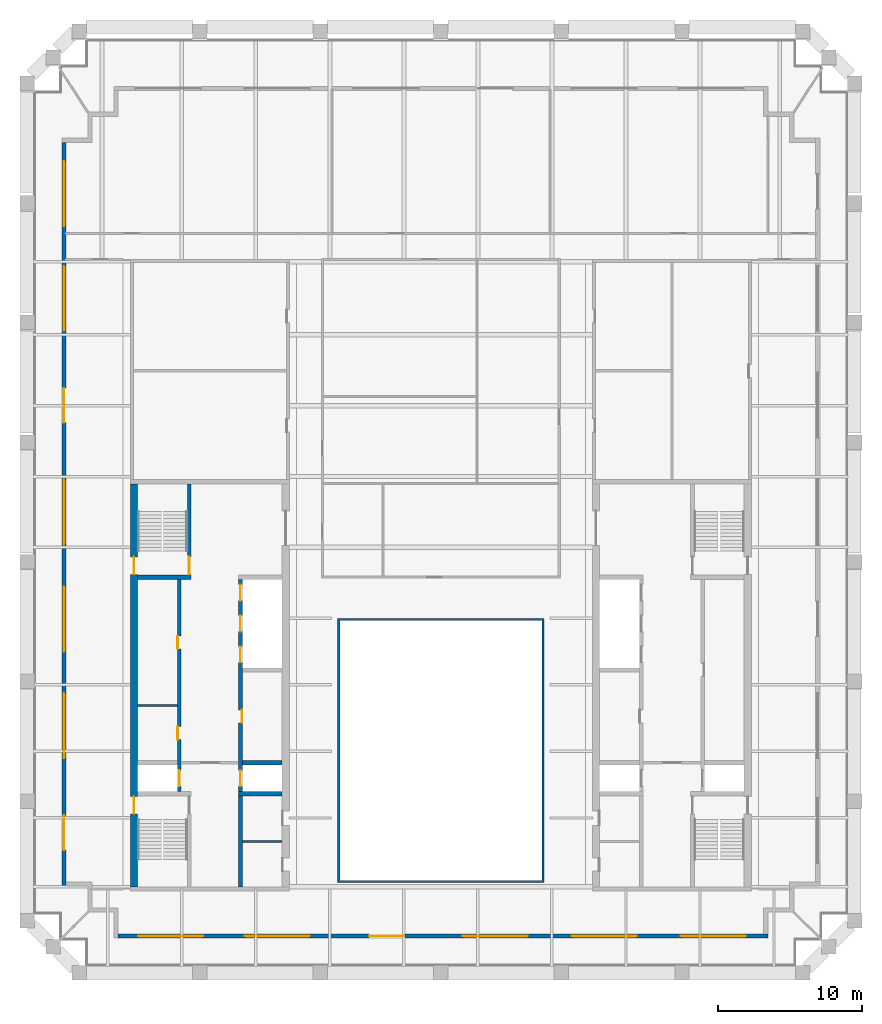
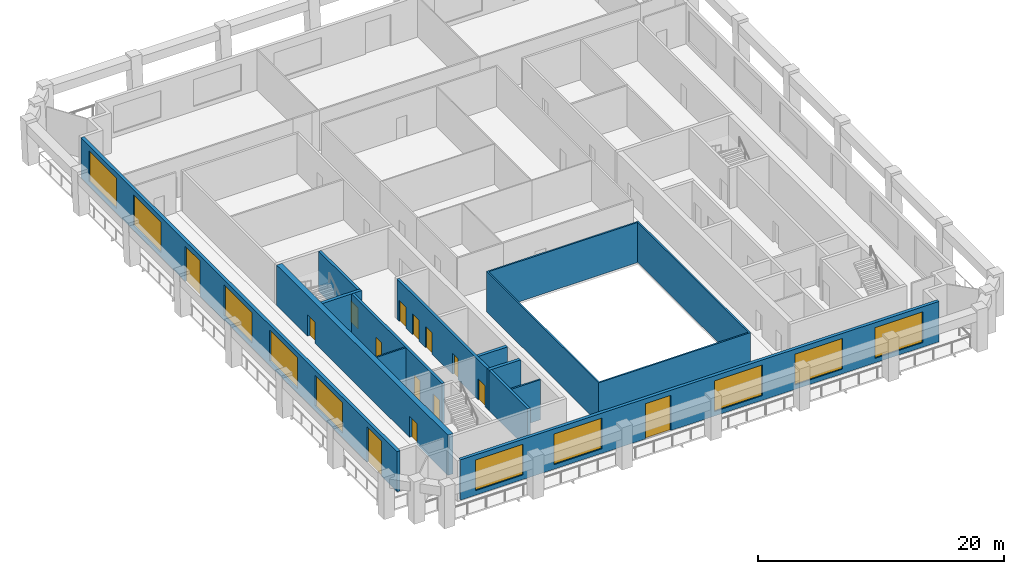
# One storey, part 3 of 8: 14 doors, 12 walls, 10 windows, 24 openings.
"""IFC4 building model written with IfcOpenShell, lengths in metres."""

from ifc_helpers import new_model, si_unit, direction, frame, frame_2d, origin, place, context, subcontext, project, spatial, polyline, rectangle, outline, extrude, material, layer, layer_set, type_object, element, fill, save


model = new_model("IFC4")

# Units and contexts
model_context = context("Model", 3, precision=1e-05, world=origin(), true_north=direction((0.0, 1.0)))
body_context = subcontext(model_context, "Body", "Model", "MODEL_VIEW")
ifc_project = project(units=[si_unit("LENGTHUNIT", "METRE"), si_unit("AREAUNIT", "SQUARE_METRE"), si_unit("VOLUMEUNIT", "CUBIC_METRE"), si_unit("PLANEANGLEUNIT", "RADIAN"), si_unit("MASSUNIT", "GRAM", prefix="KILO")], contexts=[model_context])

# Site, building, storey
site_placement = place(None, origin())
site = spatial("IfcSite", under=ifc_project, at=site_placement, CompositionType="ELEMENT")
building_placement = place(site_placement, origin())
building = spatial("IfcBuilding", under=site, at=building_placement, Name="Ogive Exchange Tower", CompositionType="ELEMENT")
storey_placement = place(building_placement, frame((0.0, 0.0, 317.39990234375)))
storey = spatial("IfcBuildingStorey", under=building, at=storey_placement, Name="L69", CompositionType="ELEMENT", Elevation=317.39990234375)

# Walls
ifc_material_1 = material(Name="Gypsum board partition")
ifc_layer_1 = layer(ifc_material_1, 0.14990234375)
ifc_layer_set_1 = layer_set([ifc_layer_1], Name="Core room partition 150 gypsum")
wall_type_1 = type_object("IfcWallType", Name="Core room partition 150 gypsum", PredefinedType="PARTITIONING", material=ifc_layer_set_1)
for number, where, z_axis, x_axis, name in (
    (1, (-21.0, 10.10009765625, 0.0), (0.0, 0.0, 1.0), (1.0, 0.0, 0.0), "W row A bay partition 1-1"),
    (2, (-13.75, 0.699951171875, 0.0), (0.0, 0.0, 1.0), (1.0, 0.0, 0.0), "W south room partition"),
):
    element("IfcWall", number, at=place(storey_placement, frame(where, z_axis=z_axis, x_axis=x_axis)), inside=storey, type_object=wall_type_1, Name=name, PredefinedType="PARTITIONING", context=body_context, shape_type="SweptSolid", body=[
        extrude(rectangle(XDim=2.75, YDim=0.14990234375, at=frame_2d((1.375, 0.0))), origin(), (0.0, 0.0, 1.0), 4.0),
    ])
ifc_material_2 = material(Name="Fire-resisting glass in steel frame", Category="steel")
ifc_layer_2 = layer(ifc_material_2, 0.14990234375)
ifc_layer_set_2 = layer_set([ifc_layer_2], Name="Fire-rated glazed wall 150")
wall_type_2 = type_object("IfcWallType", Name="Fire-rated glazed wall 150", PredefinedType="STANDARD", material=ifc_layer_set_2)
wall_1_placement = place(storey_placement, origin())
element("IfcWall", 3, at=wall_1_placement, inside=storey, type_object=wall_type_2, Name="Nave enclosure wall", PredefinedType="STANDARD", context=body_context, shape_type="SweptSolid", body=[
    extrude(outline(polyline([(-7.14990234375, -2.14990234375), (7.14990234375, -2.14990234375), (7.14990234375, 16.14990234375), (-7.14990234375, 16.14990234375), (-7.14990234375, -2.14990234375)]), holes=[polyline([(-7.0, -2.0), (-7.0, 16.0), (7.0, 16.0), (7.0, -2.0), (-7.0, -2.0)])]), origin(), (0.0, 0.0, 1.0), 4.0),
])

# Wall, openings, door, windows
ifc_material_3 = material(Name="Precast concrete C40/50", Category="concrete")
ifc_layer_3 = layer(ifc_material_3, 0.300048828125)
ifc_layer_set_3 = layer_set([ifc_layer_3], Name="Limestone-faced wall 300")
wall_type_3 = type_object("IfcWallType", Name="Limestone-faced wall 300", PredefinedType="STANDARD", material=ifc_layer_set_3)
wall_2_placement = place(storey_placement, frame((-22.35009765625, -5.85009765625, 0.0), z_axis=(0.0, 0.0, 1.0), x_axis=(1.0, 0.0, 0.0)))
wall_2 = element("IfcWall", 4, at=wall_2_placement, inside=storey, type_object=wall_type_3, Name="External wall S1", PredefinedType="STANDARD", context=body_context, shape_type="SweptSolid", body=[
    extrude(rectangle(XDim=45.0, YDim=0.300048828125, at=frame_2d((22.5, 0.0))), origin(), (0.0, 0.0, 1.0), 4.0),
])
opening_1_placement = place(wall_2_placement, frame((1.375, 0.0, 0.449951171875)))
opening_1 = element("IfcOpeningElement", 5, at=opening_1_placement, cuts=wall_2, Name="Opening W1", PredefinedType="OPENING", context=body_context, shape_type="SweptSolid", body=[
    extrude(rectangle(XDim=4.5, YDim=3.050048828125, at=frame_2d((2.25, 1.52490234375))), frame((0.0, 0.159912109375, 0.0), z_axis=(0.0, -1.0, 0.0), x_axis=(1.0, 0.0, 0.0)), (0.0, 0.0, 1.0), 0.320068359375),
])
opening_2_placement = place(wall_2_placement, frame((8.77490234375, 0.0, 0.449951171875)))
opening_2 = element("IfcOpeningElement", 6, at=opening_2_placement, cuts=wall_2, Name="Opening W1", PredefinedType="OPENING", context=body_context, shape_type="SweptSolid", body=[
    extrude(rectangle(XDim=4.5, YDim=3.050048828125, at=frame_2d((2.25, 1.52490234375))), frame((0.0, 0.159912109375, 0.0), z_axis=(0.0, -1.0, 0.0), x_axis=(1.0, 0.0, 0.0)), (0.0, 0.0, 1.0), 0.320068359375),
])
opening_3_placement = place(wall_2_placement, frame((17.375, 0.0, 0.0)))
opening_3 = element("IfcOpeningElement", 7, at=opening_3_placement, cuts=wall_2, Name="Opening D1", PredefinedType="OPENING", context=body_context, shape_type="SweptSolid", body=[
    extrude(rectangle(XDim=2.39990234375, YDim=3.5, at=frame_2d((1.199951171875, 1.75))), frame((0.0, 0.159912109375, 0.0), z_axis=(0.0, -1.0, 0.0), x_axis=(1.0, 0.0, 0.0)), (0.0, 0.0, 1.0), 0.320068359375),
])
opening_4_placement = place(wall_2_placement, frame((23.875, 0.0, 0.449951171875)))
opening_4 = element("IfcOpeningElement", 8, at=opening_4_placement, cuts=wall_2, Name="Opening W1", PredefinedType="OPENING", context=body_context, shape_type="SweptSolid", body=[
    extrude(rectangle(XDim=4.5, YDim=3.050048828125, at=frame_2d((2.25, 1.52490234375))), frame((0.0, 0.159912109375, 0.0), z_axis=(0.0, -1.0, 0.0), x_axis=(1.0, 0.0, 0.0)), (0.0, 0.0, 1.0), 0.320068359375),
])
opening_5_placement = place(wall_2_placement, frame((31.425048828125, 0.0, 0.449951171875)))
opening_5 = element("IfcOpeningElement", 9, at=opening_5_placement, cuts=wall_2, Name="Opening W1", PredefinedType="OPENING", context=body_context, shape_type="SweptSolid", body=[
    extrude(rectangle(XDim=4.5, YDim=3.050048828125, at=frame_2d((2.25, 1.52490234375))), frame((0.0, 0.159912109375, 0.0), z_axis=(0.0, -1.0, 0.0), x_axis=(1.0, 0.0, 0.0)), (0.0, 0.0, 1.0), 0.320068359375),
])
opening_6_placement = place(wall_2_placement, frame((38.97509765625, 0.0, 0.449951171875)))
opening_6 = element("IfcOpeningElement", 10, at=opening_6_placement, cuts=wall_2, Name="Opening W1", PredefinedType="OPENING", context=body_context, shape_type="SweptSolid", body=[
    extrude(rectangle(XDim=4.5, YDim=3.050048828125, at=frame_2d((2.25, 1.52490234375))), frame((0.0, 0.159912109375, 0.0), z_axis=(0.0, -1.0, 0.0), x_axis=(1.0, 0.0, 0.0)), (0.0, 0.0, 1.0), 0.320068359375),
])
ifc_material_4 = material(Name="Clear glass in bronze frame", Category="glass")
door_type_1 = type_object("IfcDoorType", Name="Sliding loggia door 2400 x 3500", OperationType="DOUBLE_DOOR_SLIDING", PredefinedType="DOOR", material=ifc_material_4)
door_1_placement = place(opening_3_placement, origin())
door_1 = element("IfcDoor", 11, at=door_1_placement, inside=storey, type_object=door_type_1, Name="Loggia door S02", OperationType="DOUBLE_DOOR_SLIDING", OverallHeight=3.5, OverallWidth=2.39990234375, PredefinedType="DOOR", context=body_context, shape_type="SweptSolid", body=[
    extrude(rectangle(XDim=2.39990234375, YDim=3.5, at=frame_2d((1.199951171875, 1.75))), frame((0.0, 0.02490234375, 0.0), z_axis=(0.0, -1.0, 0.0), x_axis=(1.0, 0.0, 0.0)), (0.0, 0.0, 1.0), 0.050048828125),
])
fill(opening_3, door_1)
window_type = type_object("IfcWindowType", Name="Twin lancet window 4500 x 3050", PartitioningType="DOUBLE_PANEL_VERTICAL", PredefinedType="WINDOW", material=ifc_material_4)
window_1_placement = place(opening_1_placement, origin())
window_1 = element("IfcWindow", 12, at=window_1_placement, inside=storey, type_object=window_type, Name="Window S00", OverallHeight=3.050048828125, OverallWidth=4.5, PartitioningType="DOUBLE_PANEL_VERTICAL", PredefinedType="WINDOW", context=body_context, shape_type="SweptSolid", body=[
    extrude(rectangle(XDim=4.5, YDim=3.050048828125, at=frame_2d((2.25, 1.52490234375))), frame((0.0, 0.030029296875, 0.0), z_axis=(0.0, -1.0, 0.0), x_axis=(1.0, 0.0, 0.0)), (0.0, 0.0, 1.0), 0.06005859375),
])
fill(opening_1, window_1)
window_2_placement = place(opening_2_placement, origin())
window_2 = element("IfcWindow", 13, at=window_2_placement, inside=storey, type_object=window_type, Name="Window S01", OverallHeight=3.050048828125, OverallWidth=4.5, PartitioningType="DOUBLE_PANEL_VERTICAL", PredefinedType="WINDOW", context=body_context, shape_type="SweptSolid", body=[
    extrude(rectangle(XDim=4.5, YDim=3.050048828125, at=frame_2d((2.25, 1.52490234375))), frame((0.0, 0.030029296875, 0.0), z_axis=(0.0, -1.0, 0.0), x_axis=(1.0, 0.0, 0.0)), (0.0, 0.0, 1.0), 0.06005859375),
])
fill(opening_2, window_2)
window_3_placement = place(opening_4_placement, origin())
window_3 = element("IfcWindow", 14, at=window_3_placement, inside=storey, type_object=window_type, Name="Window S03", OverallHeight=3.050048828125, OverallWidth=4.5, PartitioningType="DOUBLE_PANEL_VERTICAL", PredefinedType="WINDOW", context=body_context, shape_type="SweptSolid", body=[
    extrude(rectangle(XDim=4.5, YDim=3.050048828125, at=frame_2d((2.25, 1.52490234375))), frame((0.0, 0.030029296875, 0.0), z_axis=(0.0, -1.0, 0.0), x_axis=(1.0, 0.0, 0.0)), (0.0, 0.0, 1.0), 0.06005859375),
])
fill(opening_4, window_3)
window_4_placement = place(opening_5_placement, origin())
window_4 = element("IfcWindow", 15, at=window_4_placement, inside=storey, type_object=window_type, Name="Window S04", OverallHeight=3.050048828125, OverallWidth=4.5, PartitioningType="DOUBLE_PANEL_VERTICAL", PredefinedType="WINDOW", context=body_context, shape_type="SweptSolid", body=[
    extrude(rectangle(XDim=4.5, YDim=3.050048828125, at=frame_2d((2.25, 1.52490234375))), frame((0.0, 0.030029296875, 0.0), z_axis=(0.0, -1.0, 0.0), x_axis=(1.0, 0.0, 0.0)), (0.0, 0.0, 1.0), 0.06005859375),
])
fill(opening_5, window_4)
window_5_placement = place(opening_6_placement, origin())
window_5 = element("IfcWindow", 16, at=window_5_placement, inside=storey, type_object=window_type, Name="Window S05", OverallHeight=3.050048828125, OverallWidth=4.5, PartitioningType="DOUBLE_PANEL_VERTICAL", PredefinedType="WINDOW", context=body_context, shape_type="SweptSolid", body=[
    extrude(rectangle(XDim=4.5, YDim=3.050048828125, at=frame_2d((2.25, 1.52490234375))), frame((0.0, 0.030029296875, 0.0), z_axis=(0.0, -1.0, 0.0), x_axis=(1.0, 0.0, 0.0)), (0.0, 0.0, 1.0), 0.06005859375),
])
fill(opening_6, window_5)

# Wall, openings, doors, windows
wall_3_placement = place(storey_placement, frame((-26.10009765625, 49.10009765625, 0.0), z_axis=(0.0, 0.0, 1.0), x_axis=(0.0, -1.0, 0.0)))
wall_3 = element("IfcWall", 17, at=wall_3_placement, inside=storey, type_object=wall_type_3, Name="External wall W4", PredefinedType="STANDARD", context=body_context, shape_type="SweptSolid", body=[
    extrude(rectangle(XDim=51.5, YDim=0.300048828125, at=frame_2d((25.75, 0.0))), origin(), (0.0, 0.0, 1.0), 4.0),
])
opening_7_placement = place(wall_3_placement, frame((1.300048828125, 0.0, 0.449951171875)))
opening_7 = element("IfcOpeningElement", 18, at=opening_7_placement, cuts=wall_3, Name="Opening W1", PredefinedType="OPENING", context=body_context, shape_type="SweptSolid", body=[
    extrude(rectangle(XDim=4.5, YDim=3.050048828125, at=frame_2d((2.25, 1.52490234375))), frame((0.0, 0.159912109375, 0.0), z_axis=(0.0, -1.0, 0.0), x_axis=(1.0, 0.0, 0.0)), (0.0, 0.0, 1.0), 0.320068359375),
])
opening_8_placement = place(wall_3_placement, frame((8.550048828125, 0.0, 0.449951171875)))
opening_8 = element("IfcOpeningElement", 19, at=opening_8_placement, cuts=wall_3, Name="Opening W1", PredefinedType="OPENING", context=body_context, shape_type="SweptSolid", body=[
    extrude(rectangle(XDim=4.5, YDim=3.050048828125, at=frame_2d((2.25, 1.52490234375))), frame((0.0, 0.159912109375, 0.0), z_axis=(0.0, -1.0, 0.0), x_axis=(1.0, 0.0, 0.0)), (0.0, 0.0, 1.0), 0.320068359375),
])
opening_9_placement = place(wall_3_placement, frame((17.0, 0.0, 0.0)))
opening_9 = element("IfcOpeningElement", 20, at=opening_9_placement, cuts=wall_3, Name="Opening D1", PredefinedType="OPENING", context=body_context, shape_type="SweptSolid", body=[
    extrude(rectangle(XDim=2.39990234375, YDim=3.5, at=frame_2d((1.199951171875, 1.75))), frame((0.0, 0.159912109375, 0.0), z_axis=(0.0, -1.0, 0.0), x_axis=(1.0, 0.0, 0.0)), (0.0, 0.0, 1.0), 0.320068359375),
])
opening_10_placement = place(wall_3_placement, frame((23.35009765625, 0.0, 0.449951171875)))
opening_10 = element("IfcOpeningElement", 21, at=opening_10_placement, cuts=wall_3, Name="Opening W1", PredefinedType="OPENING", context=body_context, shape_type="SweptSolid", body=[
    extrude(rectangle(XDim=4.5, YDim=3.050048828125, at=frame_2d((2.25, 1.52490234375))), frame((0.0, 0.159912109375, 0.0), z_axis=(0.0, -1.0, 0.0), x_axis=(1.0, 0.0, 0.0)), (0.0, 0.0, 1.0), 0.320068359375),
])
opening_11_placement = place(wall_3_placement, frame((30.75, 0.0, 0.449951171875)))
opening_11 = element("IfcOpeningElement", 22, at=opening_11_placement, cuts=wall_3, Name="Opening W1", PredefinedType="OPENING", context=body_context, shape_type="SweptSolid", body=[
    extrude(rectangle(XDim=4.5, YDim=3.050048828125, at=frame_2d((2.25, 1.52490234375))), frame((0.0, 0.159912109375, 0.0), z_axis=(0.0, -1.0, 0.0), x_axis=(1.0, 0.0, 0.0)), (0.0, 0.0, 1.0), 0.320068359375),
])
opening_12_placement = place(wall_3_placement, frame((38.14990234375, 0.0, 0.449951171875)))
opening_12 = element("IfcOpeningElement", 23, at=opening_12_placement, cuts=wall_3, Name="Opening W1", PredefinedType="OPENING", context=body_context, shape_type="SweptSolid", body=[
    extrude(rectangle(XDim=4.5, YDim=3.050048828125, at=frame_2d((2.25, 1.52490234375))), frame((0.0, 0.159912109375, 0.0), z_axis=(0.0, -1.0, 0.0), x_axis=(1.0, 0.0, 0.0)), (0.0, 0.0, 1.0), 0.320068359375),
])
opening_13_placement = place(wall_3_placement, frame((46.60009765625, 0.0, 0.0)))
opening_13 = element("IfcOpeningElement", 24, at=opening_13_placement, cuts=wall_3, Name="Opening D1", PredefinedType="OPENING", context=body_context, shape_type="SweptSolid", body=[
    extrude(rectangle(XDim=2.39990234375, YDim=3.5, at=frame_2d((1.199951171875, 1.75))), frame((0.0, 0.159912109375, 0.0), z_axis=(0.0, -1.0, 0.0), x_axis=(1.0, 0.0, 0.0)), (0.0, 0.0, 1.0), 0.320068359375),
])
door_2_placement = place(opening_9_placement, origin())
door_2 = element("IfcDoor", 25, at=door_2_placement, inside=storey, type_object=door_type_1, Name="Loggia door W02", OperationType="DOUBLE_DOOR_SLIDING", OverallHeight=3.5, OverallWidth=2.39990234375, PredefinedType="DOOR", context=body_context, shape_type="SweptSolid", body=[
    extrude(rectangle(XDim=2.39990234375, YDim=3.5, at=frame_2d((1.199951171875, 1.75))), frame((0.0, 0.02490234375, 0.0), z_axis=(0.0, -1.0, 0.0), x_axis=(1.0, 0.0, 0.0)), (0.0, 0.0, 1.0), 0.050048828125),
])
fill(opening_9, door_2)
door_3_placement = place(opening_13_placement, origin())
door_3 = element("IfcDoor", 26, at=door_3_placement, inside=storey, type_object=door_type_1, Name="Loggia door W06", OperationType="DOUBLE_DOOR_SLIDING", OverallHeight=3.5, OverallWidth=2.39990234375, PredefinedType="DOOR", context=body_context, shape_type="SweptSolid", body=[
    extrude(rectangle(XDim=2.39990234375, YDim=3.5, at=frame_2d((1.199951171875, 1.75))), frame((0.0, 0.02490234375, 0.0), z_axis=(0.0, -1.0, 0.0), x_axis=(1.0, 0.0, 0.0)), (0.0, 0.0, 1.0), 0.050048828125),
])
fill(opening_13, door_3)
window_6_placement = place(opening_7_placement, origin())
window_6 = element("IfcWindow", 27, at=window_6_placement, inside=storey, type_object=window_type, Name="Window W00", OverallHeight=3.050048828125, OverallWidth=4.5, PartitioningType="DOUBLE_PANEL_VERTICAL", PredefinedType="WINDOW", context=body_context, shape_type="SweptSolid", body=[
    extrude(rectangle(XDim=4.5, YDim=3.050048828125, at=frame_2d((2.25, 1.52490234375))), frame((0.0, 0.030029296875, 0.0), z_axis=(0.0, -1.0, 0.0), x_axis=(1.0, 0.0, 0.0)), (0.0, 0.0, 1.0), 0.06005859375),
])
fill(opening_7, window_6)
window_7_placement = place(opening_8_placement, origin())
window_7 = element("IfcWindow", 28, at=window_7_placement, inside=storey, type_object=window_type, Name="Window W01", OverallHeight=3.050048828125, OverallWidth=4.5, PartitioningType="DOUBLE_PANEL_VERTICAL", PredefinedType="WINDOW", context=body_context, shape_type="SweptSolid", body=[
    extrude(rectangle(XDim=4.5, YDim=3.050048828125, at=frame_2d((2.25, 1.52490234375))), frame((0.0, 0.030029296875, 0.0), z_axis=(0.0, -1.0, 0.0), x_axis=(1.0, 0.0, 0.0)), (0.0, 0.0, 1.0), 0.06005859375),
])
fill(opening_8, window_7)
window_8_placement = place(opening_10_placement, origin())
window_8 = element("IfcWindow", 29, at=window_8_placement, inside=storey, type_object=window_type, Name="Window W03", OverallHeight=3.050048828125, OverallWidth=4.5, PartitioningType="DOUBLE_PANEL_VERTICAL", PredefinedType="WINDOW", context=body_context, shape_type="SweptSolid", body=[
    extrude(rectangle(XDim=4.5, YDim=3.050048828125, at=frame_2d((2.25, 1.52490234375))), frame((0.0, 0.030029296875, 0.0), z_axis=(0.0, -1.0, 0.0), x_axis=(1.0, 0.0, 0.0)), (0.0, 0.0, 1.0), 0.06005859375),
])
fill(opening_10, window_8)
window_9_placement = place(opening_11_placement, origin())
window_9 = element("IfcWindow", 30, at=window_9_placement, inside=storey, type_object=window_type, Name="Window W04", OverallHeight=3.050048828125, OverallWidth=4.5, PartitioningType="DOUBLE_PANEL_VERTICAL", PredefinedType="WINDOW", context=body_context, shape_type="SweptSolid", body=[
    extrude(rectangle(XDim=4.5, YDim=3.050048828125, at=frame_2d((2.25, 1.52490234375))), frame((0.0, 0.030029296875, 0.0), z_axis=(0.0, -1.0, 0.0), x_axis=(1.0, 0.0, 0.0)), (0.0, 0.0, 1.0), 0.06005859375),
])
fill(opening_11, window_9)
window_10_placement = place(opening_12_placement, origin())
window_10 = element("IfcWindow", 31, at=window_10_placement, inside=storey, type_object=window_type, Name="Window W05", OverallHeight=3.050048828125, OverallWidth=4.5, PartitioningType="DOUBLE_PANEL_VERTICAL", PredefinedType="WINDOW", context=body_context, shape_type="SweptSolid", body=[
    extrude(rectangle(XDim=4.5, YDim=3.050048828125, at=frame_2d((2.25, 1.52490234375))), frame((0.0, 0.030029296875, 0.0), z_axis=(0.0, -1.0, 0.0), x_axis=(1.0, 0.0, 0.0)), (0.0, 0.0, 1.0), 0.06005859375),
])
fill(opening_12, window_10)

# Wall, opening, door
ifc_material_5 = material(Name="Concrete C70/85", Category="concrete")
ifc_layer_4 = layer(ifc_material_5, 0.25)
ifc_layer_set_4 = layer_set([ifc_layer_4], Name="RC core wall 250 C70/85")
wall_type_4 = type_object("IfcWallType", Name="RC core wall 250 C70/85", PredefinedType="SHEAR", material=ifc_layer_set_4)
wall_4_placement = place(storey_placement, frame((-17.425048828125, 19.14990234375, 0.0), z_axis=(0.0, 0.0, 1.0), x_axis=(0.0, 1.0, 0.0)))
wall_4 = element("IfcWall", 32, at=wall_4_placement, inside=storey, type_object=wall_type_4, Name="W stair N front wall", PredefinedType="SHEAR", context=body_context, shape_type="SweptSolid", body=[
    extrude(rectangle(XDim=6.300048828125, YDim=0.25, at=frame_2d((3.14990234375, 0.0))), origin(), (0.0, 0.0, 1.0), 4.0),
])
opening_14_placement = place(wall_4_placement, frame((0.050048828125, 0.0, 0.0)))
opening_14 = element("IfcOpeningElement", 33, at=opening_14_placement, cuts=wall_4, Name="Opening L69-C13", PredefinedType="OPENING", context=body_context, shape_type="SweptSolid", body=[
    extrude(rectangle(XDim=1.199951171875, YDim=2.10009765625, at=frame_2d((0.60009765625, 1.050048828125))), frame((0.0, 0.135009765625, 0.0), z_axis=(0.0, -1.0, 0.0), x_axis=(1.0, 0.0, 0.0)), (0.0, 0.0, 1.0), 0.27001953125),
])
ifc_material_6 = material(Name="Steel fire door", Category="steel")
door_type_2 = type_object("IfcDoorType", Name="Stair door FD90 1200 x 2100", OperationType="NOTDEFINED", PredefinedType="DOOR", material=ifc_material_6)
door_4_placement = place(opening_14_placement, origin())
door_4 = element("IfcDoor", 34, at=door_4_placement, inside=storey, type_object=door_type_2, Name="Stair door", ObjectType="CD5", OperationType="SINGLE_SWING_RIGHT", OverallHeight=2.10009765625, OverallWidth=1.199951171875, PredefinedType="DOOR", context=body_context, shape_type="SweptSolid", body=[
    extrude(rectangle(XDim=1.199951171875, YDim=2.10009765625, at=frame_2d((0.60009765625, 1.050048828125))), frame((0.0, 0.02490234375, 0.0), z_axis=(0.0, -1.0, 0.0), x_axis=(1.0, 0.0, 0.0)), (0.0, 0.0, 1.0), 0.050048828125),
])
fill(opening_14, door_4)

# Wall, openings, doors
wall_5_placement = place(storey_placement, frame((-18.125, 4.14990234375, 0.0), z_axis=(0.0, 0.0, 1.0), x_axis=(0.0, 1.0, 0.0)))
wall_5 = element("IfcWall", 35, at=wall_5_placement, inside=storey, type_object=wall_type_4, Name="W row A front wall", PredefinedType="SHEAR", context=body_context, shape_type="SweptSolid", body=[
    extrude(rectangle(XDim=14.7001953125, YDim=0.25, at=frame_2d((7.35009765625, 0.0))), origin(), (0.0, 0.0, 1.0), 4.0),
])
opening_15_placement = place(wall_5_placement, frame((3.596435546875, 0.0, 0.0)))
opening_15 = element("IfcOpeningElement", 36, at=opening_15_placement, cuts=wall_5, Name="Opening L69-C01", PredefinedType="OPENING", context=body_context, shape_type="SweptSolid", body=[
    extrude(rectangle(XDim=0.89990234375, YDim=2.10009765625, at=frame_2d((0.449951171875, 1.050048828125))), frame((0.0, 0.135009765625, 0.0), z_axis=(0.0, -1.0, 0.0), x_axis=(1.0, 0.0, 0.0)), (0.0, 0.0, 1.0), 0.27001953125),
])
opening_16_placement = place(wall_5_placement, frame((9.875, 0.0, 0.0)))
opening_16 = element("IfcOpeningElement", 37, at=opening_16_placement, cuts=wall_5, Name="Opening L69-C02", PredefinedType="OPENING", context=body_context, shape_type="SweptSolid", body=[
    extrude(rectangle(XDim=0.89990234375, YDim=2.10009765625, at=frame_2d((0.449951171875, 1.050048828125))), frame((0.0, 0.135009765625, 0.0), z_axis=(0.0, -1.0, 0.0), x_axis=(1.0, 0.0, 0.0)), (0.0, 0.0, 1.0), 0.27001953125),
])
opening_17_placement = place(wall_5_placement, frame((0.371337890625, 0.0, 0.0)))
opening_17 = element("IfcOpeningElement", 38, at=opening_17_placement, cuts=wall_5, Name="Opening L69-C03", PredefinedType="OPENING", context=body_context, shape_type="SweptSolid", body=[
    extrude(rectangle(XDim=1.10009765625, YDim=2.10009765625, at=frame_2d((0.550048828125, 1.050048828125))), frame((0.0, 0.135009765625, 0.0), z_axis=(0.0, -1.0, 0.0), x_axis=(1.0, 0.0, 0.0)), (0.0, 0.0, 1.0), 0.27001953125),
])
ifc_material_7 = material(Name="Stainless steel", Category="steel")
door_type_3 = type_object("IfcDoorType", Name="Lift landing door FD90 1100 x 2100", OperationType="SLIDING_TO_LEFT", PredefinedType="DOOR", material=ifc_material_7)
door_5_placement = place(opening_17_placement, origin())
door_5 = element("IfcDoor", 39, at=door_5_placement, inside=storey, type_object=door_type_3, Name="Lift landing door FF1", ObjectType="LD", OperationType="SLIDING_TO_LEFT", OverallHeight=2.10009765625, OverallWidth=1.10009765625, PredefinedType="DOOR", context=body_context, shape_type="SweptSolid", body=[
    extrude(rectangle(XDim=1.10009765625, YDim=2.10009765625, at=frame_2d((0.550048828125, 1.050048828125))), frame((0.0, 0.02490234375, 0.0), z_axis=(0.0, -1.0, 0.0), x_axis=(1.0, 0.0, 0.0)), (0.0, 0.0, 1.0), 0.050048828125),
])
fill(opening_17, door_5)
door_type_4 = type_object("IfcDoorType", Name="Riser door FD60 900 x 2100", OperationType="NOTDEFINED", PredefinedType="DOOR", material=ifc_material_6)
door_6_placement = place(opening_15_placement, origin())
door_6 = element("IfcDoor", 40, at=door_6_placement, inside=storey, type_object=door_type_4, Name="Riser door", ObjectType="CD2", OperationType="SINGLE_SWING_LEFT", OverallHeight=2.10009765625, OverallWidth=0.89990234375, PredefinedType="DOOR", context=body_context, shape_type="SweptSolid", body=[
    extrude(rectangle(XDim=0.89990234375, YDim=2.10009765625, at=frame_2d((0.449951171875, 1.050048828125))), frame((0.0, 0.125, 0.0), z_axis=(0.0, -1.0, 0.0), x_axis=(1.0, 0.0, 0.0)), (0.0, 0.0, 1.0), 0.050048828125),
])
fill(opening_15, door_6)
door_7_placement = place(opening_16_placement, origin())
door_7 = element("IfcDoor", 41, at=door_7_placement, inside=storey, type_object=door_type_4, Name="Riser door", ObjectType="CD2", OperationType="SINGLE_SWING_LEFT", OverallHeight=2.10009765625, OverallWidth=0.89990234375, PredefinedType="DOOR", context=body_context, shape_type="SweptSolid", body=[
    extrude(rectangle(XDim=0.89990234375, YDim=2.10009765625, at=frame_2d((0.449951171875, 1.050048828125))), frame((0.0, 0.125, 0.0), z_axis=(0.0, -1.0, 0.0), x_axis=(1.0, 0.0, 0.0)), (0.0, 0.0, 1.0), 0.050048828125),
])
fill(opening_16, door_7)

wall_6_placement = place(storey_placement, frame((-13.875, -2.449951171875, 0.0), z_axis=(0.0, 0.0, 1.0), x_axis=(0.0, 1.0, 0.0)))
wall_6 = element("IfcWall", 42, at=wall_6_placement, inside=storey, type_object=wall_type_4, Name="W row B front wall", PredefinedType="SHEAR", context=body_context, shape_type="SweptSolid", body=[
    extrude(rectangle(XDim=21.300048828125, YDim=0.25, at=frame_2d((10.64990234375, 0.0))), origin(), (0.0, 0.0, 1.0), 4.0),
])
opening_18_placement = place(wall_6_placement, frame((11.357177734375, 0.0, 0.0)))
opening_18 = element("IfcOpeningElement", 43, at=opening_18_placement, cuts=wall_6, Name="Opening L69-C04", PredefinedType="OPENING", context=body_context, shape_type="SweptSolid", body=[
    extrude(rectangle(XDim=0.89990234375, YDim=2.10009765625, at=frame_2d((0.449951171875, 1.050048828125))), frame((0.0, 0.135009765625, 0.0), z_axis=(0.0, -1.0, 0.0), x_axis=(1.0, 0.0, 0.0)), (0.0, 0.0, 1.0), 0.27001953125),
])
opening_19_placement = place(wall_6_placement, frame((6.971435546875, 0.0, 0.0)))
opening_19 = element("IfcOpeningElement", 44, at=opening_19_placement, cuts=wall_6, Name="Opening L69-C05", PredefinedType="OPENING", context=body_context, shape_type="SweptSolid", body=[
    extrude(rectangle(XDim=1.10009765625, YDim=2.10009765625, at=frame_2d((0.550048828125, 1.050048828125))), frame((0.0, 0.135009765625, 0.0), z_axis=(0.0, -1.0, 0.0), x_axis=(1.0, 0.0, 0.0)), (0.0, 0.0, 1.0), 0.27001953125),
])
opening_20_placement = place(wall_6_placement, frame((15.54296875, 0.0, 0.0)))
opening_20 = element("IfcOpeningElement", 45, at=opening_20_placement, cuts=wall_6, Name="Opening L69-C06", PredefinedType="OPENING", context=body_context, shape_type="SweptSolid", body=[
    extrude(rectangle(XDim=1.10009765625, YDim=2.10009765625, at=frame_2d((0.550048828125, 1.050048828125))), frame((0.0, 0.135009765625, 0.0), z_axis=(0.0, -1.0, 0.0), x_axis=(1.0, 0.0, 0.0)), (0.0, 0.0, 1.0), 0.27001953125),
])
opening_21_placement = place(wall_6_placement, frame((17.685791015625, 0.0, 0.0)))
opening_21 = element("IfcOpeningElement", 46, at=opening_21_placement, cuts=wall_6, Name="Opening L69-C07", PredefinedType="OPENING", context=body_context, shape_type="SweptSolid", body=[
    extrude(rectangle(XDim=1.10009765625, YDim=2.10009765625, at=frame_2d((0.550048828125, 1.050048828125))), frame((0.0, 0.135009765625, 0.0), z_axis=(0.0, -1.0, 0.0), x_axis=(1.0, 0.0, 0.0)), (0.0, 0.0, 1.0), 0.27001953125),
])
opening_22_placement = place(wall_6_placement, frame((19.82861328125, 0.0, 0.0)))
opening_22 = element("IfcOpeningElement", 47, at=opening_22_placement, cuts=wall_6, Name="Opening L69-C08", PredefinedType="OPENING", context=body_context, shape_type="SweptSolid", body=[
    extrude(rectangle(XDim=1.10009765625, YDim=2.10009765625, at=frame_2d((0.550048828125, 1.050048828125))), frame((0.0, 0.135009765625, 0.0), z_axis=(0.0, -1.0, 0.0), x_axis=(1.0, 0.0, 0.0)), (0.0, 0.0, 1.0), 0.27001953125),
])
door_8_placement = place(opening_19_placement, origin())
door_8 = element("IfcDoor", 48, at=door_8_placement, inside=storey, type_object=door_type_3, Name="Lift landing door SV1", ObjectType="LD", OperationType="SLIDING_TO_LEFT", OverallHeight=2.10009765625, OverallWidth=1.10009765625, PredefinedType="DOOR", context=body_context, shape_type="SweptSolid", body=[
    extrude(rectangle(XDim=1.10009765625, YDim=2.10009765625, at=frame_2d((0.550048828125, 1.050048828125))), frame((0.0, 0.02490234375, 0.0), z_axis=(0.0, -1.0, 0.0), x_axis=(1.0, 0.0, 0.0)), (0.0, 0.0, 1.0), 0.050048828125),
])
fill(opening_19, door_8)
door_9_placement = place(opening_20_placement, origin())
door_9 = element("IfcDoor", 49, at=door_9_placement, inside=storey, type_object=door_type_3, Name="Lift landing door W-H1", ObjectType="LD", OperationType="SLIDING_TO_LEFT", OverallHeight=2.10009765625, OverallWidth=1.10009765625, PredefinedType="DOOR", context=body_context, shape_type="SweptSolid", body=[
    extrude(rectangle(XDim=1.10009765625, YDim=2.10009765625, at=frame_2d((0.550048828125, 1.050048828125))), frame((0.0, 0.02490234375, 0.0), z_axis=(0.0, -1.0, 0.0), x_axis=(1.0, 0.0, 0.0)), (0.0, 0.0, 1.0), 0.050048828125),
])
fill(opening_20, door_9)
door_10_placement = place(opening_21_placement, origin())
door_10 = element("IfcDoor", 50, at=door_10_placement, inside=storey, type_object=door_type_3, Name="Lift landing door W-H2", ObjectType="LD", OperationType="SLIDING_TO_LEFT", OverallHeight=2.10009765625, OverallWidth=1.10009765625, PredefinedType="DOOR", context=body_context, shape_type="SweptSolid", body=[
    extrude(rectangle(XDim=1.10009765625, YDim=2.10009765625, at=frame_2d((0.550048828125, 1.050048828125))), frame((0.0, 0.02490234375, 0.0), z_axis=(0.0, -1.0, 0.0), x_axis=(1.0, 0.0, 0.0)), (0.0, 0.0, 1.0), 0.050048828125),
])
fill(opening_21, door_10)
door_11_placement = place(opening_22_placement, origin())
door_11 = element("IfcDoor", 51, at=door_11_placement, inside=storey, type_object=door_type_3, Name="Lift landing door W-H3", ObjectType="LD", OperationType="SLIDING_TO_LEFT", OverallHeight=2.10009765625, OverallWidth=1.10009765625, PredefinedType="DOOR", context=body_context, shape_type="SweptSolid", body=[
    extrude(rectangle(XDim=1.10009765625, YDim=2.10009765625, at=frame_2d((0.550048828125, 1.050048828125))), frame((0.0, 0.02490234375, 0.0), z_axis=(0.0, -1.0, 0.0), x_axis=(1.0, 0.0, 0.0)), (0.0, 0.0, 1.0), 0.050048828125),
])
fill(opening_22, door_11)
door_12_placement = place(opening_18_placement, frame((0.89990234375, -0.2001953125, 0.0), z_axis=(0.0, 0.0, 1.0), x_axis=(-1.0, 0.0, 0.0)))
door_12 = element("IfcDoor", 52, at=door_12_placement, inside=storey, type_object=door_type_4, Name="Riser door", ObjectType="CD2", OperationType="SINGLE_SWING_LEFT", OverallHeight=2.10009765625, OverallWidth=0.89990234375, PredefinedType="DOOR", context=body_context, shape_type="SweptSolid", body=[
    extrude(rectangle(XDim=0.89990234375, YDim=2.10009765625, at=frame_2d((0.449951171875, 1.050048828125))), frame((0.0, -0.0751953125, 0.0), z_axis=(0.0, -1.0, 0.0), x_axis=(1.0, 0.0, 0.0)), (0.0, 0.0, 1.0), 0.050048828125),
])
fill(opening_18, door_12)

# Walls
ifc_layer_5 = layer(ifc_material_5, 0.300048828125)
ifc_layer_set_5 = layer_set([ifc_layer_5], Name="RC core wall 300 C70/85")
wall_type_5 = type_object("IfcWallType", Name="RC core wall 300 C70/85", PredefinedType="SHEAR", material=ifc_layer_set_5)
wall_7_placement = place(storey_placement, frame((-21.0, 19.0, 0.0), z_axis=(0.0, 0.0, 1.0), x_axis=(1.0, 0.0, 0.0)))
element("IfcWall", 53, at=wall_7_placement, inside=storey, type_object=wall_type_5, Name="W stair N south wall", PredefinedType="SHEAR", context=body_context, shape_type="SweptSolid", body=[
    extrude(rectangle(XDim=3.699951171875, YDim=0.300048828125, at=frame_2d((1.85009765625, 0.0))), origin(), (0.0, 0.0, 1.0), 4.0),
])
wall_8_placement = place(storey_placement, frame((-14.0, 4.0, 0.0), z_axis=(0.0, 0.0, 1.0), x_axis=(1.0, 0.0, 0.0)))
element("IfcWall", 54, at=wall_8_placement, inside=storey, type_object=wall_type_5, Name="W row B divider 0", PredefinedType="SHEAR", context=body_context, shape_type="SweptSolid", body=[
    extrude(rectangle(XDim=3.0, YDim=0.300048828125, at=frame_2d((1.5, 0.0))), origin(), (0.0, 0.0, 1.0), 4.0),
])
wall_9_placement = place(storey_placement, frame((-13.75, 6.142822265625, 0.0), z_axis=(0.0, 0.0, 1.0), x_axis=(1.0, 0.0, 0.0)))
element("IfcWall", 55, at=wall_9_placement, inside=storey, type_object=wall_type_5, Name="W row B divider 1", PredefinedType="SHEAR", context=body_context, shape_type="SweptSolid", body=[
    extrude(rectangle(XDim=2.75, YDim=0.300048828125, at=frame_2d((1.375, 0.0))), origin(), (0.0, 0.0, 1.0), 4.0),
])

# Wall, openings, doors
ifc_layer_6 = layer(ifc_material_5, 0.5)
ifc_layer_set_6 = layer_set([ifc_layer_6], Name="RC core wall 500 C70/85")
wall_type_6 = type_object("IfcWallType", Name="RC core wall 500 C70/85", PredefinedType="SHEAR", material=ifc_layer_set_6)
wall_10_placement = place(storey_placement, frame((-21.25, -2.449951171875, 0.0), z_axis=(0.0, 0.0, 1.0), x_axis=(0.0, 1.0, 0.0)))
wall_10 = element("IfcWall", 56, at=wall_10_placement, inside=storey, type_object=wall_type_6, Name="W outer wall", PredefinedType="SHEAR", context=body_context, shape_type="SweptSolid", body=[
    extrude(rectangle(XDim=27.89990234375, YDim=0.5, at=frame_2d((13.949951171875, 0.0))), origin(), (0.0, 0.0, 1.0), 4.0),
])
opening_23_placement = place(wall_10_placement, frame((5.050048828125, 0.0, 0.0)))
opening_23 = element("IfcOpeningElement", 57, at=opening_23_placement, cuts=wall_10, Name="Opening L69-C12", PredefinedType="OPENING", context=body_context, shape_type="SweptSolid", body=[
    extrude(rectangle(XDim=1.199951171875, YDim=2.10009765625, at=frame_2d((0.60009765625, 1.050048828125))), frame((0.0, 0.260009765625, 0.0), z_axis=(0.0, -1.0, 0.0), x_axis=(1.0, 0.0, 0.0)), (0.0, 0.0, 1.0), 0.52001953125),
])
opening_24_placement = place(wall_10_placement, frame((21.64990234375, 0.0, 0.0)))
opening_24 = element("IfcOpeningElement", 58, at=opening_24_placement, cuts=wall_10, Name="Opening L69-C14", PredefinedType="OPENING", context=body_context, shape_type="SweptSolid", body=[
    extrude(rectangle(XDim=1.199951171875, YDim=2.10009765625, at=frame_2d((0.60009765625, 1.050048828125))), frame((0.0, 0.260009765625, 0.0), z_axis=(0.0, -1.0, 0.0), x_axis=(1.0, 0.0, 0.0)), (0.0, 0.0, 1.0), 0.52001953125),
])
door_13_placement = place(opening_23_placement, origin())
door_13 = element("IfcDoor", 59, at=door_13_placement, inside=storey, type_object=door_type_2, Name="Stair door", ObjectType="CD5", OperationType="SINGLE_SWING_RIGHT", OverallHeight=2.10009765625, OverallWidth=1.199951171875, PredefinedType="DOOR", context=body_context, shape_type="SweptSolid", body=[
    extrude(rectangle(XDim=1.199951171875, YDim=2.10009765625, at=frame_2d((0.60009765625, 1.050048828125))), frame((0.0, 0.02490234375, 0.0), z_axis=(0.0, -1.0, 0.0), x_axis=(1.0, 0.0, 0.0)), (0.0, 0.0, 1.0), 0.050048828125),
])
fill(opening_23, door_13)
door_14_placement = place(opening_24_placement, origin())
door_14 = element("IfcDoor", 60, at=door_14_placement, inside=storey, type_object=door_type_2, Name="Stair door", ObjectType="CD5", OperationType="SINGLE_SWING_LEFT", OverallHeight=2.10009765625, OverallWidth=1.199951171875, PredefinedType="DOOR", context=body_context, shape_type="SweptSolid", body=[
    extrude(rectangle(XDim=1.199951171875, YDim=2.10009765625, at=frame_2d((0.60009765625, 1.050048828125))), frame((0.0, 0.02490234375, 0.0), z_axis=(0.0, -1.0, 0.0), x_axis=(1.0, 0.0, 0.0)), (0.0, 0.0, 1.0), 0.050048828125),
])
fill(opening_24, door_14)

save(model, "model.ifc")
